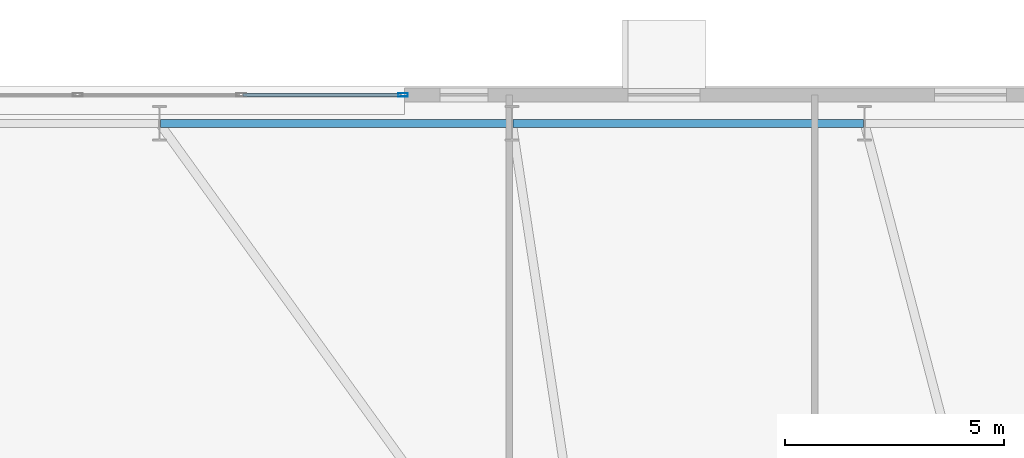
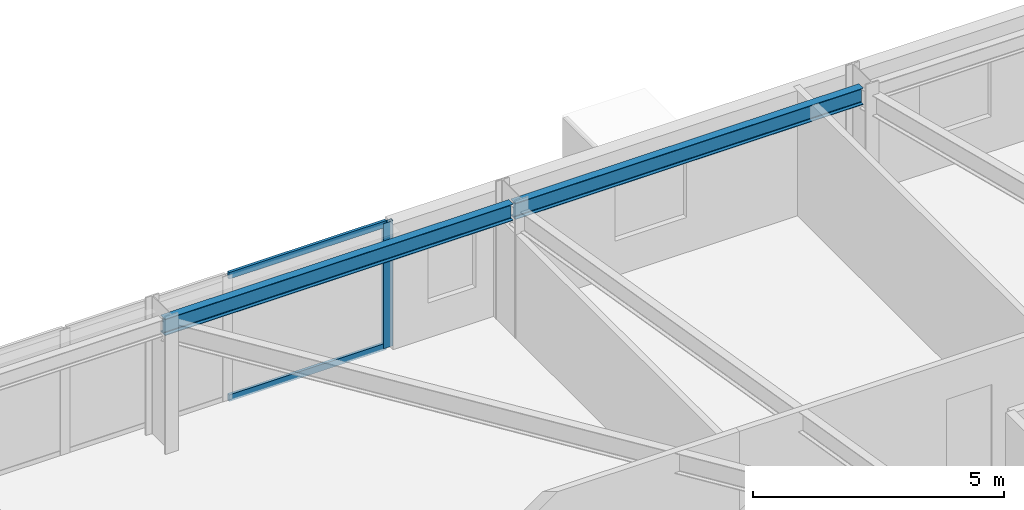
# One storey, part 9 of 18: 3 members, 2 beams, 1 element without a shape of its own.
"""IFC4 building model written with IfcOpenShell, lengths in metres."""

from ifc_helpers import new_model, si_unit, direction, frame, origin, origin_2d, place, context, subcontext, project, spatial, hollow_rectangle, i_section, extrude, material, layer, layer_set, material_profile, profile_set, type_object, element, aggregate, save


model = new_model("IFC4")

# Units and contexts
model_context = context("Model", 3, precision=1e-05, world=origin(), true_north=direction((0.0, 1.0)))
body_context = subcontext(model_context, "Body", "Model", "MODEL_VIEW")
ifc_project = project(units=[si_unit("LENGTHUNIT", "METRE"), si_unit("AREAUNIT", "SQUARE_METRE"), si_unit("VOLUMEUNIT", "CUBIC_METRE"), si_unit("PLANEANGLEUNIT", "RADIAN"), si_unit("MASSUNIT", "GRAM", prefix="KILO")], contexts=[model_context])

# Site, building, storey
site_placement = place(None, origin())
site = spatial("IfcSite", under=ifc_project, at=site_placement, CompositionType="ELEMENT")
building_placement = place(site_placement, origin())
building = spatial("IfcBuilding", under=site, at=building_placement, Name="Qobustan Lattice House", CompositionType="ELEMENT")
storey_placement = place(building_placement, frame((0.0, 0.0, 151.10009765625)))
storey = spatial("IfcBuildingStorey", under=building, at=storey_placement, Name="L42", CompositionType="ELEMENT", Elevation=151.10009765625)

# Beams
ifc_material_1 = material(Name="Steel S355", Category="steel")
ifc_material_profile_1 = material_profile(ifc_material_1, i_section(OverallWidth=0.179931640625, OverallDepth=0.39990234375, WebThickness=0.008544921875, FlangeThickness=0.013427734375, FilletRadius=0.02099609375, at=origin_2d()), Name="IPE400")
ifc_profile_set_1 = profile_set([ifc_material_profile_1], Name="Steel S355")
beam_type = type_object("IfcBeamType", Name="BM-SPD-IPE400", PredefinedType="SPANDREL", material=ifc_profile_set_1)
for number, where, z_axis, x_axis, name in (
    (1, (15.074951171875, 19.75, 2.83984375), (-1.0, 0.0, 0.0), (0.0, -1.0, 0.0), "L42 perimeter spandrel N2-N3"),
    (2, (7.02490234375, 19.75, 2.83984375), (-1.0, 0.0, 0.0), (0.0, -1.0, 0.0), "L42 perimeter spandrel N3-N4"),
):
    element("IfcBeam", number, at=place(storey_placement, frame(where, z_axis=z_axis, x_axis=x_axis)), inside=storey, type_object=beam_type, Name=name, PredefinedType="SPANDREL", context=body_context, shape_type="SweptSolid", body=[
        extrude(i_section(OverallWidth=0.179931640625, OverallDepth=0.39990234375, WebThickness=0.008544921875, FlangeThickness=0.013427734375, FilletRadius=0.02099609375, at=origin_2d()), origin(), (0.0, 0.0, 1.0), 8.0),
    ])

# Curtain wall, members
ifc_material_2 = material(Name="Anodised aluminium and low-E glazing", Category="aluminium")
ifc_layer = layer(ifc_material_2, 0.219970703125)
ifc_layer_set = layer_set([ifc_layer], Name="Anodised aluminium and low-E glazing")
curtain_wall_type = type_object("IfcCurtainWallType", Name="CW-IWN-01", PredefinedType="USERDEFINED", material=ifc_layer_set)
curtain_wall_placement = place(storey_placement, origin())
curtain_wall = element("IfcCurtainWall", 3, at=curtain_wall_placement, inside=storey, type_object=curtain_wall_type, Name="L42 IWAN-3 walnut-lined iwan curtain wall", ObjectType="CURTAIN WALL", PredefinedType="USERDEFINED")
ifc_material_3 = material(Name="Anodised aluminium EN AW-6063 T6", Category="aluminium")
ifc_material_profile_2 = material_profile(ifc_material_3, hollow_rectangle(XDim=0.080078125, YDim=0.219970703125, WallThickness=0.0048828125, at=origin_2d()), Name="CWM-220x80")
ifc_profile_set_2 = profile_set([ifc_material_profile_2], Name="Anodised aluminium EN AW-6063 T6")
member_type_1 = type_object("IfcMemberType", Name="CWM-MAIN-220", PredefinedType="MULLION", material=ifc_profile_set_2)
member_1_placement = place(storey_placement, frame((4.56005859375, 20.39990234375, 0.0), z_axis=(0.0, 0.0, 1.0), x_axis=(0.0, 1.0, 0.0)))
member_1 = element("IfcMember", 4, at=member_1_placement, type_object=member_type_1, Name="CW-IW mullion 4", PredefinedType="MULLION", context=body_context, shape_type="SweptSolid", body=[
    extrude(hollow_rectangle(XDim=0.080078125, YDim=0.219970703125, WallThickness=0.0048828125, at=origin_2d()), origin(), (0.0, 0.0, 1.0), 3.039794921875),
])
ifc_material_4 = material(Name="Anodised aluminium EN AW-6063 T6", Category="aluminium")
ifc_material_profile_3 = material_profile(ifc_material_4, hollow_rectangle(XDim=0.06494140625, YDim=0.159912109375, WallThickness=0.00390625, at=origin_2d()), Name="CWT-160x65")
ifc_profile_set_3 = profile_set([ifc_material_profile_3], Name="Anodised aluminium EN AW-6063 T6")
member_type_2 = type_object("IfcMemberType", Name="CWT-HOR-160", PredefinedType="USERDEFINED", material=ifc_profile_set_3)
member_2_placement = place(storey_placement, frame((0.90673828125, 20.39990234375, 0.032470703125), z_axis=(1.0, 0.0, 0.0), x_axis=(0.0, 1.0, 0.0)))
member_2 = element("IfcMember", 5, at=member_2_placement, type_object=member_type_2, Name="CW-IW transom 3.1", ObjectType="TRANSOM", PredefinedType="USERDEFINED", context=body_context, shape_type="SweptSolid", body=[
    extrude(hollow_rectangle(XDim=0.06494140625, YDim=0.159912109375, WallThickness=0.00390625, at=origin_2d()), origin(), (0.0, 0.0, 1.0), 3.61328125),
])
member_3_placement = place(storey_placement, frame((0.90673828125, 20.39990234375, 3.00732421875), z_axis=(1.0, 0.0, 0.0), x_axis=(0.0, 1.0, 0.0)))
member_3 = element("IfcMember", 6, at=member_3_placement, type_object=member_type_2, Name="CW-IW transom 3.2", ObjectType="TRANSOM", PredefinedType="USERDEFINED", context=body_context, shape_type="SweptSolid", body=[
    extrude(hollow_rectangle(XDim=0.06494140625, YDim=0.159912109375, WallThickness=0.00390625, at=origin_2d()), origin(), (0.0, 0.0, 1.0), 3.61328125),
])
aggregate(curtain_wall, [member_1, member_2, member_3])

save(model, "model.ifc")
